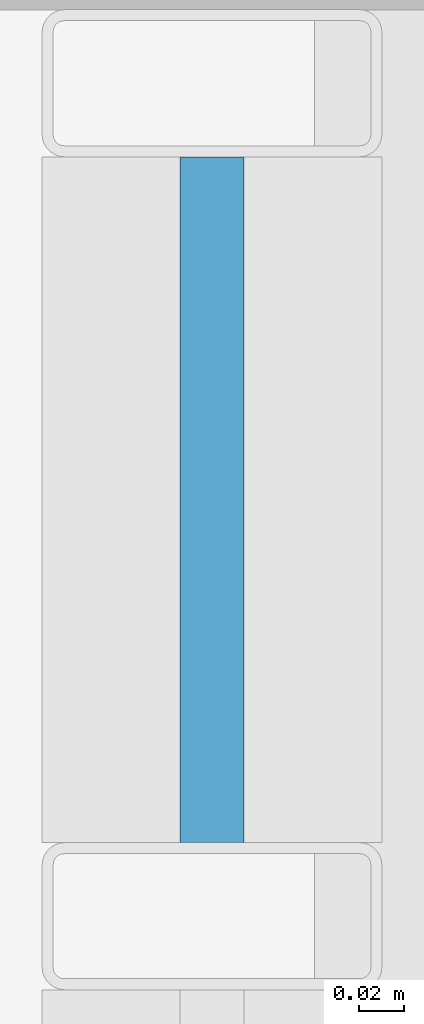
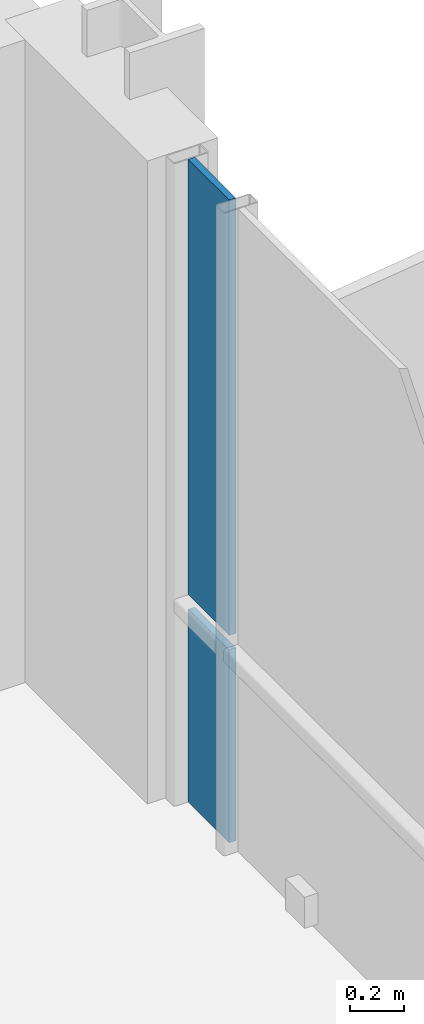
# One storey, part 7 of 12: 2 plates, 1 element without a shape of its own.
"""IFC4 building model written with IfcOpenShell, lengths in metres."""

from ifc_helpers import new_model, si_unit, direction, frame, origin, origin_2d, place, context, subcontext, project, spatial, rectangle, extrude, material, layer, layer_set, type_object, element, aggregate, save


model = new_model("IFC4")

# Units and contexts
model_context = context("Model", 3, precision=1e-05, world=origin(), true_north=direction((0.0, 1.0)))
body_context = subcontext(model_context, "Body", "Model", "MODEL_VIEW")
ifc_project = project(units=[si_unit("LENGTHUNIT", "METRE"), si_unit("AREAUNIT", "SQUARE_METRE"), si_unit("VOLUMEUNIT", "CUBIC_METRE"), si_unit("PLANEANGLEUNIT", "RADIAN"), si_unit("MASSUNIT", "GRAM", prefix="KILO")], contexts=[model_context])

# Site, building, storey
site_placement = place(None, origin())
site = spatial("IfcSite", under=ifc_project, at=site_placement, CompositionType="ELEMENT")
building_placement = place(site_placement, origin())
building = spatial("IfcBuilding", under=site, at=building_placement, Name="Brevholm Reach", CompositionType="ELEMENT")
storey_placement = place(building_placement, frame((0.0, 0.0, 230.39990234375)))
storey = spatial("IfcBuildingStorey", under=building, at=storey_placement, Name="L70", CompositionType="ELEMENT", Elevation=230.39990234375)

# Curtain wall, plates
ifc_material_1 = material(Name="Dark Anodised Aluminium 6063-T6 and Solar-Control Glass", Category="aluminium")
ifc_layer_1 = layer(ifc_material_1, 0.14990234375)
ifc_layer_set_1 = layer_set([ifc_layer_1], Name="Dark Anodised Aluminium 6063-T6 and Solar-Control Glass")
curtain_wall_type = type_object("IfcCurtainWallType", Name="CW-01", PredefinedType="NOTDEFINED", material=ifc_layer_set_1)
curtain_wall_placement = place(storey_placement, origin())
curtain_wall = element("IfcCurtainWall", 1, at=curtain_wall_placement, inside=storey, type_object=curtain_wall_type, Name="L70 Curtain Wall CW-01", PredefinedType="NOTDEFINED")
ifc_material_2 = material(Name="Dark Solar-Control Double-Glazed IGU Glass", Category="glass")
ifc_layer_2 = layer(ifc_material_2, 0.028076171875)
ifc_layer_set_2 = layer_set([ifc_layer_2], Name="Dark Solar-Control Double-Glazed IGU Glass")
plate_type = type_object("IfcPlateType", Name="CWP-GLZ-28", PredefinedType="CURTAIN_PANEL", material=ifc_layer_set_2)
plate_1_placement = place(storey_placement, frame((59.85009765625, 22.733642578125, 0.0), z_axis=(0.0, 0.0, 1.0), x_axis=(0.0, 1.0, 0.0)))
plate_1 = element("IfcPlate", 2, at=plate_1_placement, type_object=plate_type, Name="CP-01 Glazing Panel 5.1", PredefinedType="CURTAIN_PANEL", context=body_context, shape_type="SweptSolid", body=[
    extrude(rectangle(XDim=0.302490234375, YDim=0.028076171875, at=origin_2d()), origin(), (0.0, 0.0, 1.0), 0.867431640625),
])
plate_2_placement = place(storey_placement, frame((59.85009765625, 22.733642578125, 0.9326171875), z_axis=(0.0, 0.0, 1.0), x_axis=(0.0, 1.0, 0.0)))
plate_2 = element("IfcPlate", 3, at=plate_2_placement, type_object=plate_type, Name="CP-01 Glazing Panel 5.2", PredefinedType="CURTAIN_PANEL", context=body_context, shape_type="SweptSolid", body=[
    extrude(rectangle(XDim=0.302490234375, YDim=0.028076171875, at=origin_2d()), origin(), (0.0, 0.0, 1.0), 1.95751953125),
])
aggregate(curtain_wall, [plate_1, plate_2])

save(model, "model.ifc")
